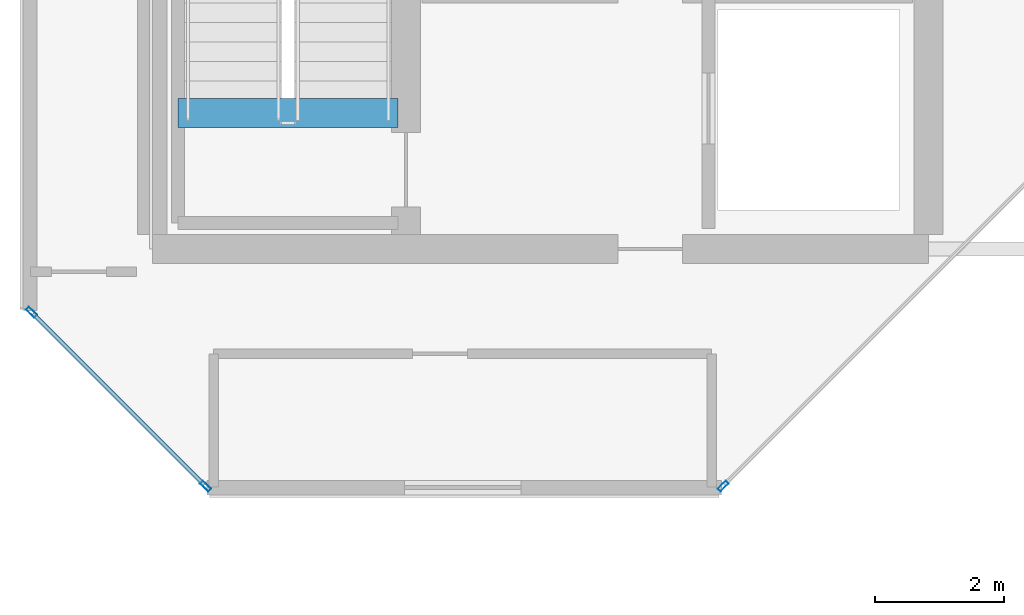
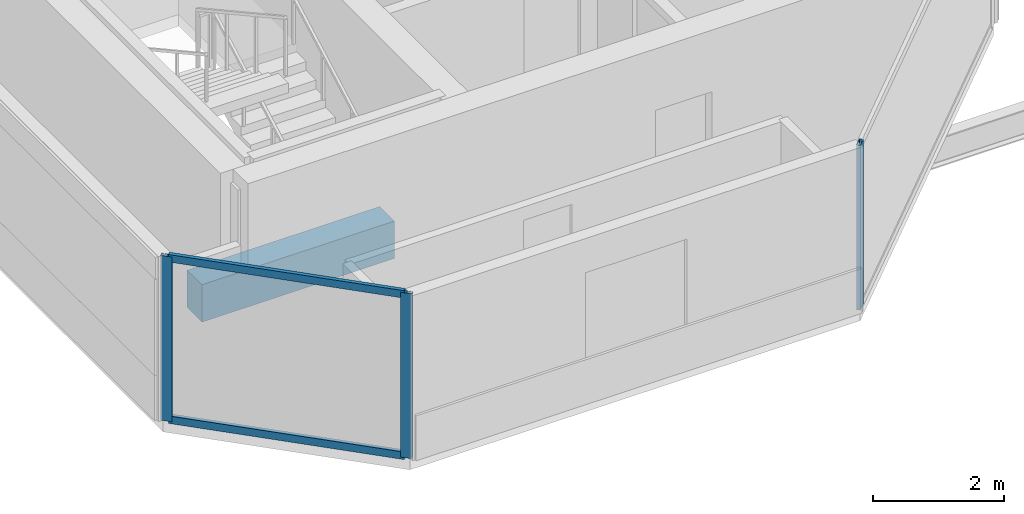
# One storey, part 2 of 29: 5 members, 1 beam, 2 elements without a shape of their own.
"""IFC4 building model written with IfcOpenShell, lengths in metres."""

from ifc_helpers import new_model, si_unit, direction, frame, origin, origin_2d, place, context, subcontext, project, spatial, rectangle, hollow_rectangle, extrude, material, layer, layer_set, material_profile, profile_set, type_object, element, aggregate, save


model = new_model("IFC4")

# Units and contexts
model_context = context("Model", 3, precision=1e-05, world=origin(), true_north=direction((0.0, 1.0)))
body_context = subcontext(model_context, "Body", "Model", "MODEL_VIEW")
ifc_project = project(units=[si_unit("LENGTHUNIT", "METRE"), si_unit("AREAUNIT", "SQUARE_METRE"), si_unit("VOLUMEUNIT", "CUBIC_METRE"), si_unit("PLANEANGLEUNIT", "RADIAN"), si_unit("MASSUNIT", "GRAM", prefix="KILO")], contexts=[model_context])

# Site, building, storey
site_placement = place(None, origin())
site = spatial("IfcSite", under=ifc_project, at=site_placement, CompositionType="ELEMENT")
building_placement = place(site_placement, origin())
building = spatial("IfcBuilding", under=site, at=building_placement, Name="Tanjung Sevakor Pilgrim Tower", CompositionType="ELEMENT")
storey_placement = place(building_placement, frame((0.0, 0.0, 235.949951171875)))
storey = spatial("IfcBuildingStorey", under=building, at=storey_placement, Name="L66", CompositionType="ELEMENT", Elevation=235.949951171875)

# Beam
ifc_material_1 = material(Name="Concrete C60/75", Category="concrete")
ifc_material_profile_1 = material_profile(ifc_material_1, rectangle(XDim=0.449951171875, YDim=0.699951171875, at=origin_2d()))
ifc_profile_set_1 = profile_set([ifc_material_profile_1], Name="Concrete C60/75")
beam_type = type_object("IfcBeamType", Name="BM-B-LN3-RC-BM_450x700", PredefinedType="LINTEL", material=ifc_profile_set_1)
beam_placement = place(storey_placement, frame((24.39990234375, 26.699951171875, -0.349853515625), z_axis=(1.0, 0.0, 0.0), x_axis=(0.0, 1.0, 0.0)))
element("IfcBeam", 1, at=beam_placement, inside=storey, type_object=beam_type, Name="L66 TS-W1 Stair Threshold Beam", PredefinedType="LINTEL", context=body_context, shape_type="SweptSolid", body=[
    extrude(rectangle(XDim=0.449951171875, YDim=0.699951171875, at=origin_2d()), origin(), (0.0, 0.0, 1.0), 3.400146484375),
])

# Curtain wall, member
ifc_material_2 = material(Name="Aluminium 6063-T6 and Low-E Glass", Category="aluminium")
ifc_layer = layer(ifc_material_2, 0.179931640625)
ifc_layer_set = layer_set([ifc_layer], Name="CW-SYS-CHAM")
curtain_wall_type = type_object("IfcCurtainWallType", Name="CW-SYS-CHAM", PredefinedType="NOTDEFINED", material=ifc_layer_set)
curtain_wall_1_placement = place(storey_placement, origin())
curtain_wall_1 = element("IfcCurtainWall", 2, at=curtain_wall_1_placement, inside=storey, type_object=curtain_wall_type, Name="L66 Curtain Wall CW-CHM-L66-WEST-1", PredefinedType="NOTDEFINED")
ifc_material_3 = material(Name="Aluminium 6063-T6", Category="aluminium")
ifc_material_profile_2 = material_profile(ifc_material_3, hollow_rectangle(XDim=0.06494140625, YDim=0.179931640625, WallThickness=0.00390625, at=origin_2d()))
ifc_profile_set_2 = profile_set([ifc_material_profile_2], Name="Aluminium 6063-T6")
member_type_1 = type_object("IfcMemberType", Name="TYPE-CWM-1", PredefinedType="MULLION", material=ifc_profile_set_2)
member_1_placement = place(storey_placement, frame((32.827392578125, 20.932861328125, 0.0), z_axis=(0.0, 0.0, 1.0), x_axis=(-0.707106781187, 0.707106781187, 0.0)))
member_1 = element("IfcMember", 3, at=member_1_placement, type_object=member_type_1, Name="CW-CHM mullion 1", PredefinedType="MULLION", context=body_context, shape_type="SweptSolid", body=[
    extrude(hollow_rectangle(XDim=0.06494140625, YDim=0.179931640625, WallThickness=0.00390625, at=origin_2d()), origin(), (0.0, 0.0, 1.0), 3.080078125),
])
aggregate(curtain_wall_1, [member_1])

# Curtain wall, members
curtain_wall_2_placement = place(storey_placement, origin())
curtain_wall_2 = element("IfcCurtainWall", 4, at=curtain_wall_2_placement, inside=storey, type_object=curtain_wall_type, Name="L66 Curtain Wall CW-CHM-L66-WEST-7", PredefinedType="NOTDEFINED")
member_2_placement = place(storey_placement, frame((22.133056640625, 23.62255859375, 0.0), z_axis=(0.0, 0.0, 1.0), x_axis=(0.707106781187, 0.707106781187, 0.0)))
member_2 = element("IfcMember", 5, at=member_2_placement, type_object=member_type_1, Name="CW-CHM mullion 1", PredefinedType="MULLION", context=body_context, shape_type="SweptSolid", body=[
    extrude(hollow_rectangle(XDim=0.06494140625, YDim=0.179931640625, WallThickness=0.00390625, at=origin_2d()), origin(), (0.0, 0.0, 1.0), 3.080078125),
])
member_3_placement = place(storey_placement, frame((24.822509765625, 20.932861328125, 0.0), z_axis=(0.0, 0.0, 1.0), x_axis=(0.707106781187, 0.707106781187, 0.0)))
member_3 = element("IfcMember", 6, at=member_3_placement, type_object=member_type_1, Name="CW-CHM mullion 2", PredefinedType="MULLION", context=body_context, shape_type="SweptSolid", body=[
    extrude(hollow_rectangle(XDim=0.06494140625, YDim=0.179931640625, WallThickness=0.00390625, at=origin_2d()), origin(), (0.0, 0.0, 1.0), 3.080078125),
])
ifc_material_4 = material(Name="Aluminium 6063-T6", Category="aluminium")
ifc_material_profile_3 = material_profile(ifc_material_4, hollow_rectangle(XDim=0.06494140625, YDim=0.139892578125, WallThickness=0.00390625, at=origin_2d()))
ifc_profile_set_3 = profile_set([ifc_material_profile_3], Name="Aluminium 6063-T6")
member_type_2 = type_object("IfcMemberType", Name="TYPE-CWT-1", PredefinedType="USERDEFINED", material=ifc_profile_set_3)
member_4_placement = place(storey_placement, frame((22.156005859375, 23.599609375, 0.032470703125), z_axis=(0.707106781187, -0.707106781187, 0.0), x_axis=(0.707106781187, 0.707106781187, 0.0)))
member_4 = element("IfcMember", 7, at=member_4_placement, type_object=member_type_2, Name="CW-CHM transom 1.1", ObjectType="TRANSOM", PredefinedType="USERDEFINED", context=body_context, shape_type="SweptSolid", body=[
    extrude(hollow_rectangle(XDim=0.06494140625, YDim=0.139892578125, WallThickness=0.00390625, at=origin_2d()), origin(), (0.0, 0.0, 1.0), 3.738525390625),
])
member_5_placement = place(storey_placement, frame((22.156005859375, 23.599609375, 3.047607421875), z_axis=(0.707106781187, -0.707106781187, 0.0), x_axis=(0.707106781187, 0.707106781187, 0.0)))
member_5 = element("IfcMember", 8, at=member_5_placement, type_object=member_type_2, Name="CW-CHM transom 1.2", ObjectType="TRANSOM", PredefinedType="USERDEFINED", context=body_context, shape_type="SweptSolid", body=[
    extrude(hollow_rectangle(XDim=0.06494140625, YDim=0.139892578125, WallThickness=0.00390625, at=origin_2d()), origin(), (0.0, 0.0, 1.0), 3.738525390625),
])
aggregate(curtain_wall_2, [member_2, member_3, member_4, member_5])

save(model, "model.ifc")
